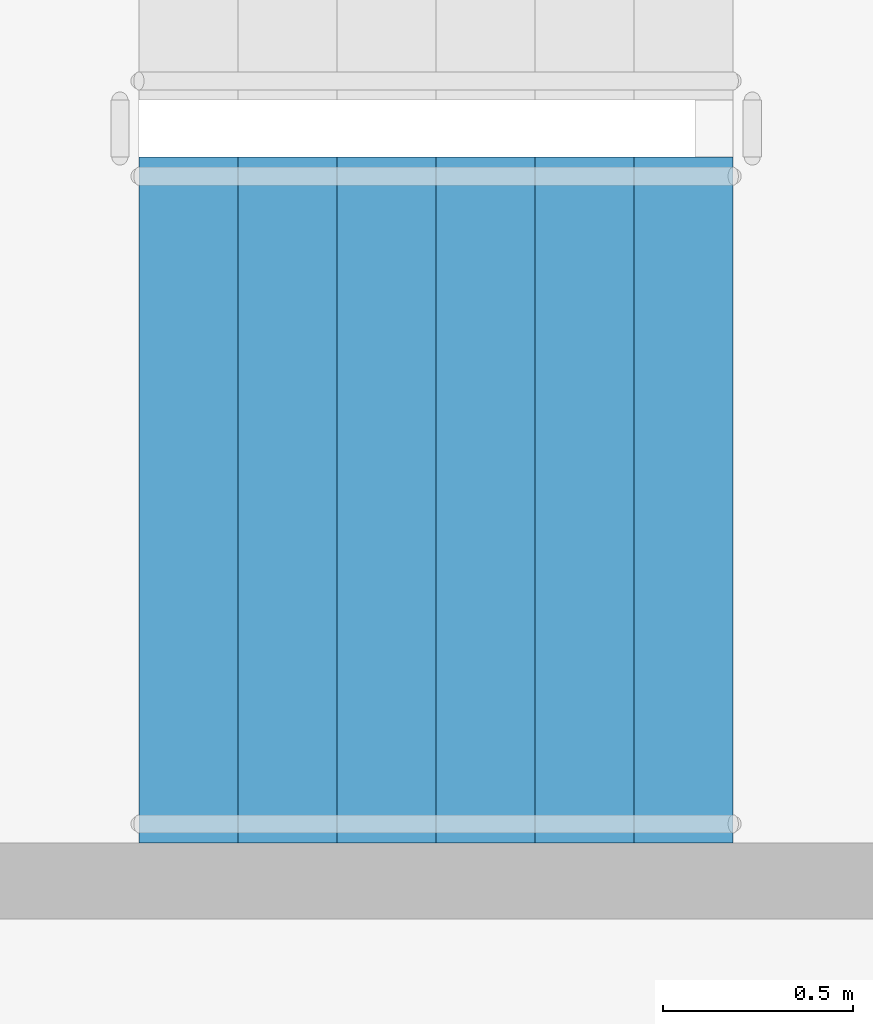
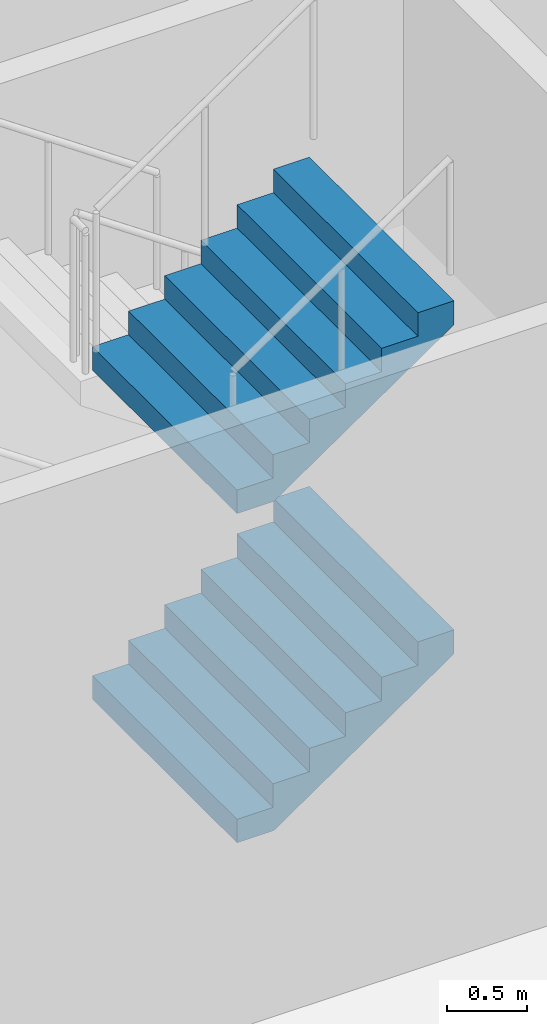
# One storey, part 42 of 59: 2 stair flights, 1 element without a shape of its own.
"""IFC4 building model written with IfcOpenShell, lengths in metres."""

from ifc_helpers import new_model, si_unit, direction, frame, origin, place, context, subcontext, project, spatial, faceted_brep, material, type_object, element, aggregate, save


model = new_model("IFC4")

# Units and contexts
model_context = context("Model", 3, precision=1e-05, world=origin(), true_north=direction((0.0, 1.0)))
body_context = subcontext(model_context, "Body", "Model", "MODEL_VIEW")
ifc_project = project(units=[si_unit("LENGTHUNIT", "METRE"), si_unit("AREAUNIT", "SQUARE_METRE"), si_unit("VOLUMEUNIT", "CUBIC_METRE"), si_unit("PLANEANGLEUNIT", "RADIAN"), si_unit("MASSUNIT", "GRAM", prefix="KILO")], contexts=[model_context])

# Site, building, storey
site_placement = place(None, origin())
site = spatial("IfcSite", under=ifc_project, at=site_placement, CompositionType="ELEMENT")
building_placement = place(site_placement, origin())
building = spatial("IfcBuilding", under=site, at=building_placement, Name="Ipe Terrace Towers", CompositionType="ELEMENT")
storey_placement = place(building_placement, frame((0.0, 0.0, 6.0)))
storey = spatial("IfcBuildingStorey", under=building, at=storey_placement, Name="L01", CompositionType="ELEMENT", Elevation=6.0)

# Stair, stair flights
ifc_material_1 = material(Name="Concrete C30/37", Category="concrete")
stair_type = type_object("IfcStairType", Name="Protected exit stair", PredefinedType="HALF_TURN_STAIR", material=ifc_material_1)
stair_placement = place(storey_placement, origin())
stair = element("IfcStair", 1, at=stair_placement, inside=storey, type_object=stair_type, Name="L01 Podium exit stair PS1", PredefinedType="HALF_TURN_STAIR")
ifc_material_2 = material(Name="Concrete C30/37", Category="concrete")
stair_flight_type = type_object("IfcStairFlightType", Name="Exit stair flight 1800", PredefinedType="STRAIGHT", material=ifc_material_2)
stair_flight_1_placement = place(storey_placement, frame((-55.830078125, 23.550048828125, 1.25), z_axis=(0.0, 0.0, 1.0), x_axis=(1.0, 0.0, 0.0)))
stair_flight_1 = element("IfcStairFlight", 2, at=stair_flight_1_placement, type_object=stair_flight_type, Name="PS1 flight 2", NumberOfRisers=7, NumberOfTreads=6, PredefinedType="STRAIGHT", RiserHeight=0.178571429, TreadLength=0.26, context=body_context, shape_type="Brep", body=[
    faceted_brep([(0.264892578125, -0.89990234375, 0.0), (1.56005859375, -0.89990234375, 0.8896484375), (1.56005859375, -0.89990234375, 1.071533203125), (1.300048828125, -0.89990234375, 1.071533203125), (1.300048828125, -0.89990234375, 0.892822265625), (1.0400390625, -0.89990234375, 0.892822265625), (1.0400390625, -0.89990234375, 0.71435546875), (0.780029296875, -0.89990234375, 0.71435546875), (0.780029296875, -0.89990234375, 0.53564453125), (0.52001953125, -0.89990234375, 0.53564453125), (0.52001953125, -0.89990234375, 0.357177734375), (0.260009765625, -0.89990234375, 0.357177734375), (0.260009765625, -0.89990234375, 0.178466796875), (0.0, -0.89990234375, 0.178466796875), (0.0, -0.89990234375, 0.0), (0.0, 0.89990234375, 0.0), (0.0, 0.89990234375, 0.178466796875), (0.260009765625, 0.89990234375, 0.178466796875), (0.260009765625, 0.89990234375, 0.357177734375), (0.52001953125, 0.89990234375, 0.357177734375), (0.52001953125, 0.89990234375, 0.53564453125), (0.780029296875, 0.89990234375, 0.53564453125), (0.780029296875, 0.89990234375, 0.71435546875), (1.0400390625, 0.89990234375, 0.71435546875), (1.0400390625, 0.89990234375, 0.892822265625), (1.300048828125, 0.89990234375, 0.892822265625), (1.300048828125, 0.89990234375, 1.071533203125), (1.56005859375, 0.89990234375, 1.071533203125), (1.56005859375, 0.89990234375, 0.8896484375), (0.264892578125, 0.89990234375, 0.0), (0.0, -0.300048828125, 0.178466796875), (0.0, -0.1201171875, 0.178466796875), (0.0, -0.06005859375, 0.178466796875), (0.0, -0.030029296875, 0.178466796875), (0.0, -0.010009765625, 0.178466796875), (0.0, 0.0, 0.178466796875), (0.0, 0.010009765625, 0.178466796875), (0.0, 0.030029296875, 0.178466796875), (0.0, 0.06005859375, 0.178466796875), (0.0, 0.1201171875, 0.178466796875), (0.0, 0.300048828125, 0.178466796875), (0.0, 0.300048828125, 0.0), (0.0, 0.1201171875, 0.0), (0.0, 0.06005859375, 0.0), (0.0, 0.030029296875, 0.0), (0.0, 0.010009765625, 0.0), (0.0, 0.0, 0.0), (0.0, -0.010009765625, 0.0), (0.0, -0.030029296875, 0.0), (0.0, -0.06005859375, 0.0), (0.0, -0.1201171875, 0.0), (0.0, -0.300048828125, 0.0), (0.260009765625, -0.300048828125, 0.178466796875), (0.260009765625, -0.1201171875, 0.178466796875), (0.260009765625, -0.06005859375, 0.178466796875), (0.260009765625, -0.030029296875, 0.178466796875), (0.260009765625, -0.010009765625, 0.178466796875), (0.260009765625, 0.0, 0.178466796875), (0.260009765625, 0.010009765625, 0.178466796875), (0.260009765625, 0.030029296875, 0.178466796875), (0.260009765625, 0.06005859375, 0.178466796875), (0.260009765625, 0.1201171875, 0.178466796875), (0.260009765625, 0.300048828125, 0.178466796875), (0.260009765625, -0.300048828125, 0.357177734375), (0.260009765625, -0.1201171875, 0.357177734375), (0.260009765625, -0.06005859375, 0.357177734375), (0.260009765625, -0.030029296875, 0.357177734375), (0.260009765625, -0.010009765625, 0.357177734375), (0.260009765625, 0.0, 0.357177734375), (0.260009765625, 0.010009765625, 0.357177734375), (0.260009765625, 0.030029296875, 0.357177734375), (0.260009765625, 0.06005859375, 0.357177734375), (0.260009765625, 0.1201171875, 0.357177734375), (0.260009765625, 0.300048828125, 0.357177734375), (0.52001953125, -0.300048828125, 0.357177734375), (0.52001953125, -0.1201171875, 0.357177734375), (0.52001953125, -0.06005859375, 0.357177734375), (0.52001953125, -0.030029296875, 0.357177734375), (0.52001953125, -0.010009765625, 0.357177734375), (0.52001953125, 0.0, 0.357177734375), (0.52001953125, 0.010009765625, 0.357177734375), (0.52001953125, 0.030029296875, 0.357177734375), (0.52001953125, 0.06005859375, 0.357177734375), (0.52001953125, 0.1201171875, 0.357177734375), (0.52001953125, 0.300048828125, 0.357177734375), (0.52001953125, -0.300048828125, 0.53564453125), (0.52001953125, -0.1201171875, 0.53564453125), (0.52001953125, -0.06005859375, 0.53564453125), (0.52001953125, -0.030029296875, 0.53564453125), (0.52001953125, -0.010009765625, 0.53564453125), (0.52001953125, 0.0, 0.53564453125), (0.52001953125, 0.010009765625, 0.53564453125), (0.52001953125, 0.030029296875, 0.53564453125), (0.52001953125, 0.06005859375, 0.53564453125), (0.52001953125, 0.1201171875, 0.53564453125), (0.52001953125, 0.300048828125, 0.53564453125), (0.780029296875, -0.300048828125, 0.53564453125), (0.780029296875, -0.1201171875, 0.53564453125), (0.780029296875, -0.06005859375, 0.53564453125), (0.780029296875, -0.030029296875, 0.53564453125), (0.780029296875, -0.010009765625, 0.53564453125), (0.780029296875, 0.0, 0.53564453125), (0.780029296875, 0.010009765625, 0.53564453125), (0.780029296875, 0.030029296875, 0.53564453125), (0.780029296875, 0.06005859375, 0.53564453125), (0.780029296875, 0.1201171875, 0.53564453125), (0.780029296875, 0.300048828125, 0.53564453125), (0.780029296875, -0.300048828125, 0.71435546875), (0.780029296875, -0.1201171875, 0.71435546875), (0.780029296875, -0.06005859375, 0.71435546875), (0.780029296875, -0.030029296875, 0.71435546875), (0.780029296875, -0.010009765625, 0.71435546875), (0.780029296875, 0.0, 0.71435546875), (0.780029296875, 0.010009765625, 0.71435546875), (0.780029296875, 0.030029296875, 0.71435546875), (0.780029296875, 0.06005859375, 0.71435546875), (0.780029296875, 0.1201171875, 0.71435546875), (0.780029296875, 0.300048828125, 0.71435546875), (1.0400390625, -0.300048828125, 0.71435546875), (1.0400390625, -0.1201171875, 0.71435546875), (1.0400390625, -0.06005859375, 0.71435546875), (1.0400390625, -0.030029296875, 0.71435546875), (1.0400390625, -0.010009765625, 0.71435546875), (1.0400390625, 0.0, 0.71435546875), (1.0400390625, 0.010009765625, 0.71435546875), (1.0400390625, 0.030029296875, 0.71435546875), (1.0400390625, 0.06005859375, 0.71435546875), (1.0400390625, 0.1201171875, 0.71435546875), (1.0400390625, 0.300048828125, 0.71435546875), (1.0400390625, -0.300048828125, 0.892822265625), (1.0400390625, -0.1201171875, 0.892822265625), (1.0400390625, -0.06005859375, 0.892822265625), (1.0400390625, -0.030029296875, 0.892822265625), (1.0400390625, -0.010009765625, 0.892822265625), (1.0400390625, 0.0, 0.892822265625), (1.0400390625, 0.010009765625, 0.892822265625), (1.0400390625, 0.030029296875, 0.892822265625), (1.0400390625, 0.06005859375, 0.892822265625), (1.0400390625, 0.1201171875, 0.892822265625), (1.0400390625, 0.300048828125, 0.892822265625), (1.300048828125, -0.300048828125, 0.892822265625), (1.300048828125, -0.1201171875, 0.892822265625), (1.300048828125, -0.06005859375, 0.892822265625), (1.300048828125, -0.030029296875, 0.892822265625), (1.300048828125, -0.010009765625, 0.892822265625), (1.300048828125, 0.0, 0.892822265625), (1.300048828125, 0.010009765625, 0.892822265625), (1.300048828125, 0.030029296875, 0.892822265625), (1.300048828125, 0.06005859375, 0.892822265625), (1.300048828125, 0.1201171875, 0.892822265625), (1.300048828125, 0.300048828125, 0.892822265625), (1.300048828125, -0.300048828125, 1.071533203125), (1.300048828125, -0.1201171875, 1.071533203125), (1.300048828125, -0.06005859375, 1.071533203125), (1.300048828125, -0.030029296875, 1.071533203125), (1.300048828125, -0.010009765625, 1.071533203125), (1.300048828125, 0.0, 1.071533203125), (1.300048828125, 0.010009765625, 1.071533203125), (1.300048828125, 0.030029296875, 1.071533203125), (1.300048828125, 0.06005859375, 1.071533203125), (1.300048828125, 0.1201171875, 1.071533203125), (1.300048828125, 0.300048828125, 1.071533203125), (1.56005859375, -0.300048828125, 1.071533203125), (1.56005859375, -0.1201171875, 1.071533203125), (1.56005859375, -0.06005859375, 1.071533203125), (1.56005859375, -0.030029296875, 1.071533203125), (1.56005859375, -0.010009765625, 1.071533203125), (1.56005859375, 0.0, 1.071533203125), (1.56005859375, 0.010009765625, 1.071533203125), (1.56005859375, 0.030029296875, 1.071533203125), (1.56005859375, 0.06005859375, 1.071533203125), (1.56005859375, 0.1201171875, 1.071533203125), (1.56005859375, 0.300048828125, 1.071533203125), (1.56005859375, -0.300048828125, 0.8896484375), (1.56005859375, -0.1201171875, 0.8896484375), (1.56005859375, -0.06005859375, 0.8896484375), (1.56005859375, -0.030029296875, 0.8896484375), (1.56005859375, -0.010009765625, 0.8896484375), (1.56005859375, 0.0, 0.8896484375), (1.56005859375, 0.010009765625, 0.8896484375), (1.56005859375, 0.030029296875, 0.8896484375), (1.56005859375, 0.06005859375, 0.8896484375), (1.56005859375, 0.1201171875, 0.8896484375), (1.56005859375, 0.300048828125, 0.8896484375), (0.264892578125, -0.300048828125, 0.0), (0.264892578125, -0.1201171875, 0.0), (0.264892578125, -0.06005859375, 0.0), (0.264892578125, -0.030029296875, 0.0), (0.264892578125, -0.010009765625, 0.0), (0.264892578125, 0.0, 0.0), (0.264892578125, 0.010009765625, 0.0), (0.264892578125, 0.030029296875, 0.0), (0.264892578125, 0.06005859375, 0.0), (0.264892578125, 0.1201171875, 0.0), (0.264892578125, 0.300048828125, 0.0)], [[[0, 1, 2, 3, 4, 5, 6, 7, 8, 9, 10, 11, 12, 13, 14]], [[15, 16, 17, 18, 19, 20, 21, 22, 23, 24, 25, 26, 27, 28, 29]], [[13, 30, 31, 32, 33, 34, 35, 36, 37, 38, 39, 40, 16, 15, 41, 42, 43, 44, 45, 46, 47, 48, 49, 50, 51, 14]], [[12, 52, 53, 54, 55, 56, 57, 58, 59, 60, 61, 62, 17, 16, 40, 39, 38, 37, 36, 35, 34, 33, 32, 31, 30, 13]], [[11, 63, 64, 65, 66, 67, 68, 69, 70, 71, 72, 73, 18, 17, 62, 61, 60, 59, 58, 57, 56, 55, 54, 53, 52, 12]], [[10, 74, 75, 76, 77, 78, 79, 80, 81, 82, 83, 84, 19, 18, 73, 72, 71, 70, 69, 68, 67, 66, 65, 64, 63, 11]], [[9, 85, 86, 87, 88, 89, 90, 91, 92, 93, 94, 95, 20, 19, 84, 83, 82, 81, 80, 79, 78, 77, 76, 75, 74, 10]], [[8, 96, 97, 98, 99, 100, 101, 102, 103, 104, 105, 106, 21, 20, 95, 94, 93, 92, 91, 90, 89, 88, 87, 86, 85, 9]], [[7, 107, 108, 109, 110, 111, 112, 113, 114, 115, 116, 117, 22, 21, 106, 105, 104, 103, 102, 101, 100, 99, 98, 97, 96, 8]], [[6, 118, 119, 120, 121, 122, 123, 124, 125, 126, 127, 128, 23, 22, 117, 116, 115, 114, 113, 112, 111, 110, 109, 108, 107, 7]], [[5, 129, 130, 131, 132, 133, 134, 135, 136, 137, 138, 139, 24, 23, 128, 127, 126, 125, 124, 123, 122, 121, 120, 119, 118, 6]], [[4, 140, 141, 142, 143, 144, 145, 146, 147, 148, 149, 150, 25, 24, 139, 138, 137, 136, 135, 134, 133, 132, 131, 130, 129, 5]], [[3, 151, 152, 153, 154, 155, 156, 157, 158, 159, 160, 161, 26, 25, 150, 149, 148, 147, 146, 145, 144, 143, 142, 141, 140, 4]], [[2, 162, 163, 164, 165, 166, 167, 168, 169, 170, 171, 172, 27, 26, 161, 160, 159, 158, 157, 156, 155, 154, 153, 152, 151, 3]], [[1, 173, 174, 175, 176, 177, 178, 179, 180, 181, 182, 183, 28, 27, 172, 171, 170, 169, 168, 167, 166, 165, 164, 163, 162, 2]], [[0, 184, 185, 186, 187, 188, 189, 190, 191, 192, 193, 194, 29, 28, 183, 182, 181, 180, 179, 178, 177, 176, 175, 174, 173, 1]], [[14, 51, 50, 49, 48, 47, 46, 45, 44, 43, 42, 41, 15, 29, 194, 193, 192, 191, 190, 189, 188, 187, 186, 185, 184, 0]]]),
])
stair_flight_2_placement = place(storey_placement, frame((-55.830078125, 23.550048828125, 3.75), z_axis=(0.0, 0.0, 1.0), x_axis=(1.0, 0.0, 0.0)))
stair_flight_2 = element("IfcStairFlight", 3, at=stair_flight_2_placement, type_object=stair_flight_type, Name="PS1 flight 4", NumberOfRisers=7, NumberOfTreads=6, PredefinedType="STRAIGHT", RiserHeight=0.178571429, TreadLength=0.26, context=body_context, shape_type="Brep", body=[
    faceted_brep([(0.264892578125, -0.89990234375, 0.0), (1.56005859375, -0.89990234375, 0.8896484375), (1.56005859375, -0.89990234375, 1.071533203125), (1.300048828125, -0.89990234375, 1.071533203125), (1.300048828125, -0.89990234375, 0.892822265625), (1.0400390625, -0.89990234375, 0.892822265625), (1.0400390625, -0.89990234375, 0.71435546875), (0.780029296875, -0.89990234375, 0.71435546875), (0.780029296875, -0.89990234375, 0.53564453125), (0.52001953125, -0.89990234375, 0.53564453125), (0.52001953125, -0.89990234375, 0.357177734375), (0.260009765625, -0.89990234375, 0.357177734375), (0.260009765625, -0.89990234375, 0.178466796875), (0.0, -0.89990234375, 0.178466796875), (0.0, -0.89990234375, 0.0), (0.0, 0.89990234375, 0.0), (0.0, 0.89990234375, 0.178466796875), (0.260009765625, 0.89990234375, 0.178466796875), (0.260009765625, 0.89990234375, 0.357177734375), (0.52001953125, 0.89990234375, 0.357177734375), (0.52001953125, 0.89990234375, 0.53564453125), (0.780029296875, 0.89990234375, 0.53564453125), (0.780029296875, 0.89990234375, 0.71435546875), (1.0400390625, 0.89990234375, 0.71435546875), (1.0400390625, 0.89990234375, 0.892822265625), (1.300048828125, 0.89990234375, 0.892822265625), (1.300048828125, 0.89990234375, 1.071533203125), (1.56005859375, 0.89990234375, 1.071533203125), (1.56005859375, 0.89990234375, 0.8896484375), (0.264892578125, 0.89990234375, 0.0), (0.0, -0.300048828125, 0.178466796875), (0.0, -0.1201171875, 0.178466796875), (0.0, -0.06005859375, 0.178466796875), (0.0, -0.030029296875, 0.178466796875), (0.0, -0.010009765625, 0.178466796875), (0.0, 0.0, 0.178466796875), (0.0, 0.010009765625, 0.178466796875), (0.0, 0.030029296875, 0.178466796875), (0.0, 0.06005859375, 0.178466796875), (0.0, 0.1201171875, 0.178466796875), (0.0, 0.300048828125, 0.178466796875), (0.0, 0.300048828125, 0.0), (0.0, 0.1201171875, 0.0), (0.0, 0.06005859375, 0.0), (0.0, 0.030029296875, 0.0), (0.0, 0.010009765625, 0.0), (0.0, 0.0, 0.0), (0.0, -0.010009765625, 0.0), (0.0, -0.030029296875, 0.0), (0.0, -0.06005859375, 0.0), (0.0, -0.1201171875, 0.0), (0.0, -0.300048828125, 0.0), (0.260009765625, -0.300048828125, 0.178466796875), (0.260009765625, -0.1201171875, 0.178466796875), (0.260009765625, -0.06005859375, 0.178466796875), (0.260009765625, -0.030029296875, 0.178466796875), (0.260009765625, -0.010009765625, 0.178466796875), (0.260009765625, 0.0, 0.178466796875), (0.260009765625, 0.010009765625, 0.178466796875), (0.260009765625, 0.030029296875, 0.178466796875), (0.260009765625, 0.06005859375, 0.178466796875), (0.260009765625, 0.1201171875, 0.178466796875), (0.260009765625, 0.300048828125, 0.178466796875), (0.260009765625, -0.300048828125, 0.357177734375), (0.260009765625, -0.1201171875, 0.357177734375), (0.260009765625, -0.06005859375, 0.357177734375), (0.260009765625, -0.030029296875, 0.357177734375), (0.260009765625, -0.010009765625, 0.357177734375), (0.260009765625, 0.0, 0.357177734375), (0.260009765625, 0.010009765625, 0.357177734375), (0.260009765625, 0.030029296875, 0.357177734375), (0.260009765625, 0.06005859375, 0.357177734375), (0.260009765625, 0.1201171875, 0.357177734375), (0.260009765625, 0.300048828125, 0.357177734375), (0.52001953125, -0.300048828125, 0.357177734375), (0.52001953125, -0.1201171875, 0.357177734375), (0.52001953125, -0.06005859375, 0.357177734375), (0.52001953125, -0.030029296875, 0.357177734375), (0.52001953125, -0.010009765625, 0.357177734375), (0.52001953125, 0.0, 0.357177734375), (0.52001953125, 0.010009765625, 0.357177734375), (0.52001953125, 0.030029296875, 0.357177734375), (0.52001953125, 0.06005859375, 0.357177734375), (0.52001953125, 0.1201171875, 0.357177734375), (0.52001953125, 0.300048828125, 0.357177734375), (0.52001953125, -0.300048828125, 0.53564453125), (0.52001953125, -0.1201171875, 0.53564453125), (0.52001953125, -0.06005859375, 0.53564453125), (0.52001953125, -0.030029296875, 0.53564453125), (0.52001953125, -0.010009765625, 0.53564453125), (0.52001953125, 0.0, 0.53564453125), (0.52001953125, 0.010009765625, 0.53564453125), (0.52001953125, 0.030029296875, 0.53564453125), (0.52001953125, 0.06005859375, 0.53564453125), (0.52001953125, 0.1201171875, 0.53564453125), (0.52001953125, 0.300048828125, 0.53564453125), (0.780029296875, -0.300048828125, 0.53564453125), (0.780029296875, -0.1201171875, 0.53564453125), (0.780029296875, -0.06005859375, 0.53564453125), (0.780029296875, -0.030029296875, 0.53564453125), (0.780029296875, -0.010009765625, 0.53564453125), (0.780029296875, 0.0, 0.53564453125), (0.780029296875, 0.010009765625, 0.53564453125), (0.780029296875, 0.030029296875, 0.53564453125), (0.780029296875, 0.06005859375, 0.53564453125), (0.780029296875, 0.1201171875, 0.53564453125), (0.780029296875, 0.300048828125, 0.53564453125), (0.780029296875, -0.300048828125, 0.71435546875), (0.780029296875, -0.1201171875, 0.71435546875), (0.780029296875, -0.06005859375, 0.71435546875), (0.780029296875, -0.030029296875, 0.71435546875), (0.780029296875, -0.010009765625, 0.71435546875), (0.780029296875, 0.0, 0.71435546875), (0.780029296875, 0.010009765625, 0.71435546875), (0.780029296875, 0.030029296875, 0.71435546875), (0.780029296875, 0.06005859375, 0.71435546875), (0.780029296875, 0.1201171875, 0.71435546875), (0.780029296875, 0.300048828125, 0.71435546875), (1.0400390625, -0.300048828125, 0.71435546875), (1.0400390625, -0.1201171875, 0.71435546875), (1.0400390625, -0.06005859375, 0.71435546875), (1.0400390625, -0.030029296875, 0.71435546875), (1.0400390625, -0.010009765625, 0.71435546875), (1.0400390625, 0.0, 0.71435546875), (1.0400390625, 0.010009765625, 0.71435546875), (1.0400390625, 0.030029296875, 0.71435546875), (1.0400390625, 0.06005859375, 0.71435546875), (1.0400390625, 0.1201171875, 0.71435546875), (1.0400390625, 0.300048828125, 0.71435546875), (1.0400390625, -0.300048828125, 0.892822265625), (1.0400390625, -0.1201171875, 0.892822265625), (1.0400390625, -0.06005859375, 0.892822265625), (1.0400390625, -0.030029296875, 0.892822265625), (1.0400390625, -0.010009765625, 0.892822265625), (1.0400390625, 0.0, 0.892822265625), (1.0400390625, 0.010009765625, 0.892822265625), (1.0400390625, 0.030029296875, 0.892822265625), (1.0400390625, 0.06005859375, 0.892822265625), (1.0400390625, 0.1201171875, 0.892822265625), (1.0400390625, 0.300048828125, 0.892822265625), (1.300048828125, -0.300048828125, 0.892822265625), (1.300048828125, -0.1201171875, 0.892822265625), (1.300048828125, -0.06005859375, 0.892822265625), (1.300048828125, -0.030029296875, 0.892822265625), (1.300048828125, -0.010009765625, 0.892822265625), (1.300048828125, 0.0, 0.892822265625), (1.300048828125, 0.010009765625, 0.892822265625), (1.300048828125, 0.030029296875, 0.892822265625), (1.300048828125, 0.06005859375, 0.892822265625), (1.300048828125, 0.1201171875, 0.892822265625), (1.300048828125, 0.300048828125, 0.892822265625), (1.300048828125, -0.300048828125, 1.071533203125), (1.300048828125, -0.1201171875, 1.071533203125), (1.300048828125, -0.06005859375, 1.071533203125), (1.300048828125, -0.030029296875, 1.071533203125), (1.300048828125, -0.010009765625, 1.071533203125), (1.300048828125, 0.0, 1.071533203125), (1.300048828125, 0.010009765625, 1.071533203125), (1.300048828125, 0.030029296875, 1.071533203125), (1.300048828125, 0.06005859375, 1.071533203125), (1.300048828125, 0.1201171875, 1.071533203125), (1.300048828125, 0.300048828125, 1.071533203125), (1.56005859375, -0.300048828125, 1.071533203125), (1.56005859375, -0.1201171875, 1.071533203125), (1.56005859375, -0.06005859375, 1.071533203125), (1.56005859375, -0.030029296875, 1.071533203125), (1.56005859375, -0.010009765625, 1.071533203125), (1.56005859375, 0.0, 1.071533203125), (1.56005859375, 0.010009765625, 1.071533203125), (1.56005859375, 0.030029296875, 1.071533203125), (1.56005859375, 0.06005859375, 1.071533203125), (1.56005859375, 0.1201171875, 1.071533203125), (1.56005859375, 0.300048828125, 1.071533203125), (1.56005859375, -0.300048828125, 0.8896484375), (1.56005859375, -0.1201171875, 0.8896484375), (1.56005859375, -0.06005859375, 0.8896484375), (1.56005859375, -0.030029296875, 0.8896484375), (1.56005859375, -0.010009765625, 0.8896484375), (1.56005859375, 0.0, 0.8896484375), (1.56005859375, 0.010009765625, 0.8896484375), (1.56005859375, 0.030029296875, 0.8896484375), (1.56005859375, 0.06005859375, 0.8896484375), (1.56005859375, 0.1201171875, 0.8896484375), (1.56005859375, 0.300048828125, 0.8896484375), (0.264892578125, -0.300048828125, 0.0), (0.264892578125, -0.1201171875, 0.0), (0.264892578125, -0.06005859375, 0.0), (0.264892578125, -0.030029296875, 0.0), (0.264892578125, -0.010009765625, 0.0), (0.264892578125, 0.0, 0.0), (0.264892578125, 0.010009765625, 0.0), (0.264892578125, 0.030029296875, 0.0), (0.264892578125, 0.06005859375, 0.0), (0.264892578125, 0.1201171875, 0.0), (0.264892578125, 0.300048828125, 0.0)], [[[0, 1, 2, 3, 4, 5, 6, 7, 8, 9, 10, 11, 12, 13, 14]], [[15, 16, 17, 18, 19, 20, 21, 22, 23, 24, 25, 26, 27, 28, 29]], [[13, 30, 31, 32, 33, 34, 35, 36, 37, 38, 39, 40, 16, 15, 41, 42, 43, 44, 45, 46, 47, 48, 49, 50, 51, 14]], [[12, 52, 53, 54, 55, 56, 57, 58, 59, 60, 61, 62, 17, 16, 40, 39, 38, 37, 36, 35, 34, 33, 32, 31, 30, 13]], [[11, 63, 64, 65, 66, 67, 68, 69, 70, 71, 72, 73, 18, 17, 62, 61, 60, 59, 58, 57, 56, 55, 54, 53, 52, 12]], [[10, 74, 75, 76, 77, 78, 79, 80, 81, 82, 83, 84, 19, 18, 73, 72, 71, 70, 69, 68, 67, 66, 65, 64, 63, 11]], [[9, 85, 86, 87, 88, 89, 90, 91, 92, 93, 94, 95, 20, 19, 84, 83, 82, 81, 80, 79, 78, 77, 76, 75, 74, 10]], [[8, 96, 97, 98, 99, 100, 101, 102, 103, 104, 105, 106, 21, 20, 95, 94, 93, 92, 91, 90, 89, 88, 87, 86, 85, 9]], [[7, 107, 108, 109, 110, 111, 112, 113, 114, 115, 116, 117, 22, 21, 106, 105, 104, 103, 102, 101, 100, 99, 98, 97, 96, 8]], [[6, 118, 119, 120, 121, 122, 123, 124, 125, 126, 127, 128, 23, 22, 117, 116, 115, 114, 113, 112, 111, 110, 109, 108, 107, 7]], [[5, 129, 130, 131, 132, 133, 134, 135, 136, 137, 138, 139, 24, 23, 128, 127, 126, 125, 124, 123, 122, 121, 120, 119, 118, 6]], [[4, 140, 141, 142, 143, 144, 145, 146, 147, 148, 149, 150, 25, 24, 139, 138, 137, 136, 135, 134, 133, 132, 131, 130, 129, 5]], [[3, 151, 152, 153, 154, 155, 156, 157, 158, 159, 160, 161, 26, 25, 150, 149, 148, 147, 146, 145, 144, 143, 142, 141, 140, 4]], [[2, 162, 163, 164, 165, 166, 167, 168, 169, 170, 171, 172, 27, 26, 161, 160, 159, 158, 157, 156, 155, 154, 153, 152, 151, 3]], [[1, 173, 174, 175, 176, 177, 178, 179, 180, 181, 182, 183, 28, 27, 172, 171, 170, 169, 168, 167, 166, 165, 164, 163, 162, 2]], [[0, 184, 185, 186, 187, 188, 189, 190, 191, 192, 193, 194, 29, 28, 183, 182, 181, 180, 179, 178, 177, 176, 175, 174, 173, 1]], [[14, 51, 50, 49, 48, 47, 46, 45, 44, 43, 42, 41, 15, 29, 194, 193, 192, 191, 190, 189, 188, 187, 186, 185, 184, 0]]]),
])
aggregate(stair, [stair_flight_1, stair_flight_2])

save(model, "model.ifc")
